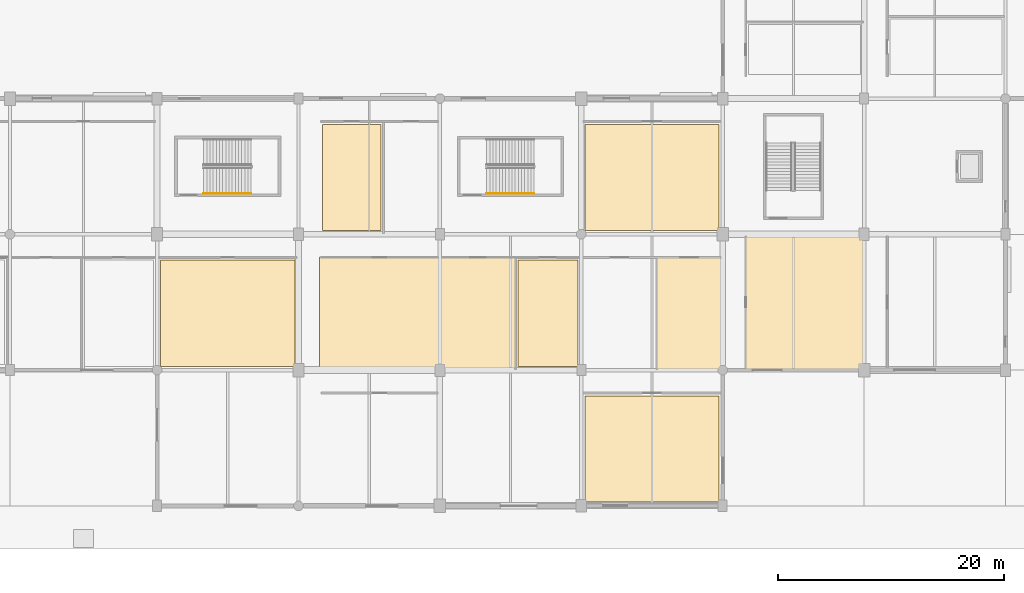
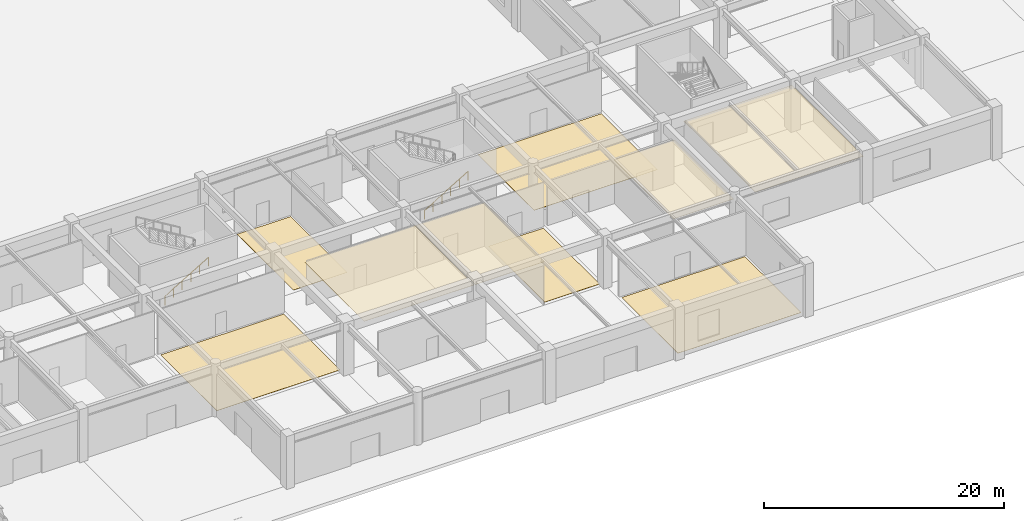
# One storey, part 50 of 69: 9 coverings, 2 railings.
"""IFC4 building model written with IfcOpenShell, lengths in metres."""

from ifc_helpers import new_model, si_unit, direction, frame, origin, origin_2d, place, context, subcontext, project, spatial, polyline, circle, outline, extrude, material, layer, layer_set, type_object, element, save


model = new_model("IFC4")

# Units and contexts
model_context = context("Model", 3, precision=1e-05, world=origin(), true_north=direction((0.0, 1.0)))
body_context = subcontext(model_context, "Body", "Model", "MODEL_VIEW")
ifc_project = project(units=[si_unit("LENGTHUNIT", "METRE"), si_unit("AREAUNIT", "SQUARE_METRE"), si_unit("VOLUMEUNIT", "CUBIC_METRE"), si_unit("PLANEANGLEUNIT", "RADIAN"), si_unit("MASSUNIT", "GRAM", prefix="KILO")], contexts=[model_context])

# Site, building, storey
site_placement = place(None, origin())
site = spatial("IfcSite", under=ifc_project, at=site_placement, CompositionType="ELEMENT")
building_placement = place(site_placement, origin())
building = spatial("IfcBuilding", under=site, at=building_placement, Name="Kazenohara Klinker Stadium", CompositionType="ELEMENT")
storey_placement = place(building_placement, origin())
storey = spatial("IfcBuildingStorey", under=building, at=storey_placement, Name="L00", CompositionType="ELEMENT", Elevation=0.0)

# Coverings
ifc_material_1 = material(Name="Perforated acoustic mineral-fibre ceiling tile", Category="gypsum")
ifc_layer_1 = layer(ifc_material_1, 0.030029296875)
ifc_layer_set_1 = layer_set([ifc_layer_1], Name="Perforated acoustic mineral-fibre ceiling tile")
covering_type_1 = type_object("IfcCoveringType", Name="COV-CEIL-01", PredefinedType="CEILING", material=ifc_layer_set_1)
covering_1_placement = place(storey_placement, frame((0.0, 0.0, 4.35009765625)))
element("IfcCovering", 1, at=covering_1_placement, inside=storey, type_object=covering_type_1, Name="Suspended acoustic ceiling CL01 Civic Stadium Heritage Museum Exhibition Gallery L00-1101A", PredefinedType="CEILING", context=body_context, shape_type="SweptSolid", body=[
    extrude(outline(polyline([(139.35009765625, 12.06005859375), (149.9599609375, 12.06005859375), (149.9599609375, 21.989990234375), (139.35009765625, 21.989990234375), (139.35009765625, 12.06005859375)])), origin(), (0.0, 0.0, 1.0), 0.02978515625),
])
covering_2_placement = place(storey_placement, frame((0.0, 0.0, 4.35009765625)))
element("IfcCovering", 2, at=covering_2_placement, inside=storey, type_object=covering_type_1, Name="Suspended acoustic ceiling CL01 Spectator First-Aid Medical Clinic L00-1201A", PredefinedType="CEILING", context=body_context, shape_type="SweptSolid", body=[
    extrude(outline(polyline([(150.0400390625, 12.06005859375), (156.71630859375, 12.06005859375), (156.71630859375, 21.989990234375), (150.0400390625, 21.989990234375), (150.0400390625, 12.06005859375)])), origin(), (0.0, 0.0, 1.0), 0.02978515625),
])
covering_3_placement = place(storey_placement, frame((0.0, 0.0, 4.35009765625)))
element("IfcCovering", 3, at=covering_3_placement, inside=storey, type_object=covering_type_1, Name="Suspended acoustic ceiling CL01 Street-Front Bakery and Cafe Restaurant L00-1301B", PredefinedType="CEILING", context=body_context, shape_type="SweptSolid", body=[
    extrude(outline(polyline([(169.13623046875, 12.06005859375), (174.9599609375, 12.06005859375), (174.9599609375, 21.989990234375), (169.13623046875, 21.989990234375), (169.13623046875, 12.06005859375)])), origin(), (0.0, 0.0, 1.0), 0.02978515625),
])
covering_4_placement = place(storey_placement, frame((0.0, 0.0, 4.35009765625)))
element("IfcCovering", 4, at=covering_4_placement, inside=storey, type_object=covering_type_1, Name="Suspended acoustic ceiling CL01 Spectator First-Aid Medical Clinic L00-1401A", PredefinedType="CEILING", context=body_context, shape_type="SweptSolid", body=[
    extrude(outline(polyline([(177.010009765625, 12.0400390625), (187.43994140625, 12.0400390625), (187.43994140625, 23.9599609375), (177.010009765625, 23.9599609375), (177.010009765625, 12.0400390625)])), origin(), (0.0, 0.0, 1.0), 0.02978515625),
])
ifc_material_2 = material(Name="Slip-resistant honed basalt terrazzo flooring", Category="masonry")
ifc_layer_2 = layer(ifc_material_2, 0.02001953125)
ifc_layer_set_2 = layer_set([ifc_layer_2], Name="Slip-resistant honed basalt terrazzo flooring")
covering_type_2 = type_object("IfcCoveringType", Name="COV-FLR-01", PredefinedType="FLOORING", material=ifc_layer_set_2)
covering_5_placement = place(storey_placement, origin())
element("IfcCovering", 5, at=covering_5_placement, inside=storey, type_object=covering_type_2, Name="Interior floor finish FL01 Spectator First-Aid Medical Clinic L00-1001A", PredefinedType="FLOORING", context=body_context, shape_type="SweptSolid", body=[
    extrude(outline(polyline([(125.31005859375, 12.330078125), (137.18994140625, 12.330078125), (137.18994140625, 21.719970703125), (125.31005859375, 21.719970703125), (125.31005859375, 12.330078125)])), origin(), (0.0, 0.0, 1.0), 0.02001953125),
])
covering_6_placement = place(storey_placement, origin())
element("IfcCovering", 6, at=covering_6_placement, inside=storey, type_object=covering_type_2, Name="Interior floor finish FL01 Supporter Merchandising Retail Shop L00-1102A", PredefinedType="FLOORING", context=body_context, shape_type="SweptSolid", body=[
    extrude(outline(polyline([(139.6201171875, 24.330078125), (144.7880859375, 24.330078125), (144.7880859375, 33.719970703125), (139.6201171875, 33.719970703125), (139.6201171875, 24.330078125)])), origin(), (0.0, 0.0, 1.0), 0.02001953125),
])
covering_7_placement = place(storey_placement, origin())
element("IfcCovering", 7, at=covering_7_placement, inside=storey, type_object=covering_type_2, Name="Interior floor finish FL01 Winter-Garden Retail Galleria Boutique L00-1201B", PredefinedType="FLOORING", context=body_context, shape_type="SweptSolid", body=[
    extrude(outline(polyline([(156.90625, 12.330078125), (162.18994140625, 12.330078125), (162.18994140625, 21.719970703125), (156.90625, 21.719970703125), (156.90625, 12.330078125)])), origin(), (0.0, 0.0, 1.0), 0.02001953125),
])
covering_8_placement = place(storey_placement, origin())
element("IfcCovering", 8, at=covering_8_placement, inside=storey, type_object=covering_type_2, Name="Interior floor finish FL01 Supporter Merchandising Retail Shop L00-1302A", PredefinedType="FLOORING", context=body_context, shape_type="SweptSolid", body=[
    extrude(outline(polyline([(162.81005859375, 24.330078125), (174.68994140625, 24.330078125), (174.68994140625, 33.719970703125), (162.81005859375, 33.719970703125), (162.81005859375, 24.330078125)])), origin(), (0.0, 0.0, 1.0), 0.02001953125),
])
ifc_material_3 = material(Name="Cushioned EPDM sports rubber flooring", Category="rubber")
ifc_layer_3 = layer(ifc_material_3, 0.014892578125)
ifc_layer_set_3 = layer_set([ifc_layer_3], Name="Cushioned EPDM sports rubber flooring")
covering_type_3 = type_object("IfcCoveringType", Name="COV-FLR-02", PredefinedType="FLOORING", material=ifc_layer_set_3)
covering_9_placement = place(storey_placement, origin())
element("IfcCovering", 9, at=covering_9_placement, inside=storey, type_object=covering_type_3, Name="Interior floor finish FL02 Spectator First-Aid Medical Clinic L00-1300A", PredefinedType="FLOORING", context=body_context, shape_type="SweptSolid", body=[
    extrude(outline(polyline([(162.81005859375, 0.330078125), (174.68994140625, 0.330078125), (174.68994140625, 9.719970703125), (162.81005859375, 9.719970703125), (162.81005859375, 0.330078125)])), origin(), (0.0, 0.0, 1.0), 0.014892578125),
])

# Railings
ifc_material_4 = material(Name="Brushed stainless steel 304 handrail", Category="steel")
ifc_layer_4 = layer(ifc_material_4, 0.050048828125)
ifc_layer_set_4 = layer_set([ifc_layer_4], Name="Brushed stainless steel 304 handrail")
railing_type = type_object("IfcRailingType", Name="RL-HND-900", PredefinedType="HANDRAIL", material=ifc_layer_set_4)
railing_1_placement = place(storey_placement, frame((129.1201171875, 27.6201171875, 0.168701171875)))
element("IfcRailing", 10, at=railing_1_placement, inside=storey, type_object=railing_type, Name="L00 ST27 stair handrail 1", PredefinedType="HANDRAIL", context=body_context, shape_type="SweptSolid", body=[
    extrude(circle(Radius=0.02392578125, at=origin_2d()), frame((0.0, 0.0, 0.8759765625), z_axis=(0.856476492594, 0.0, 0.516186030065), x_axis=(0.0, 1.0, 0.0)), (0.0, 0.0, 1.0), 4.90380859375),
    extrude(circle(Radius=0.02099609375, at=origin_2d()), origin(), (0.0, 0.0, 1.0), 0.851806640625),
    extrude(circle(Radius=0.02099609375, at=origin_2d()), frame((0.840087890625, 0.0, 0.50634765625)), (0.0, 0.0, 1.0), 0.851806640625),
    extrude(circle(Radius=0.02099609375, at=origin_2d()), frame((1.679931640625, 0.0, 1.012451171875)), (0.0, 0.0, 1.0), 0.851806640625),
    extrude(circle(Radius=0.02099609375, at=origin_2d()), frame((2.52001953125, 0.0, 1.518798828125)), (0.0, 0.0, 1.0), 0.851806640625),
    extrude(circle(Radius=0.02099609375, at=origin_2d()), frame((3.35986328125, 0.0, 2.02490234375)), (0.0, 0.0, 1.0), 0.851806640625),
    extrude(circle(Radius=0.02099609375, at=origin_2d()), frame((4.199951171875, 0.0, 2.53125)), (0.0, 0.0, 1.0), 0.851806640625),
])
railing_2_placement = place(storey_placement, frame((154.1298828125, 27.610107421875, 0.168701171875)))
element("IfcRailing", 11, at=railing_2_placement, inside=storey, type_object=railing_type, Name="L00 ST28 stair handrail 1", PredefinedType="HANDRAIL", context=body_context, shape_type="SweptSolid", body=[
    extrude(circle(Radius=0.02392578125, at=origin_2d()), frame((0.0, 0.0, 0.8759765625), z_axis=(0.856489757249, 0.0, 0.516164020179), x_axis=(0.0, 1.0, 0.0)), (0.0, 0.0, 1.0), 4.904052734375),
    extrude(circle(Radius=0.02099609375, at=origin_2d()), origin(), (0.0, 0.0, 1.0), 0.851806640625),
    extrude(circle(Radius=0.02099609375, at=origin_2d()), frame((0.840087890625, 0.0, 0.50634765625)), (0.0, 0.0, 1.0), 0.851806640625),
    extrude(circle(Radius=0.02099609375, at=origin_2d()), frame((1.68017578125, 0.0, 1.012451171875)), (0.0, 0.0, 1.0), 0.851806640625),
    extrude(circle(Radius=0.02099609375, at=origin_2d()), frame((2.52001953125, 0.0, 1.518798828125)), (0.0, 0.0, 1.0), 0.851806640625),
    extrude(circle(Radius=0.02099609375, at=origin_2d()), frame((3.360107421875, 0.0, 2.02490234375)), (0.0, 0.0, 1.0), 0.851806640625),
    extrude(circle(Radius=0.02099609375, at=origin_2d()), frame((4.2001953125, 0.0, 2.53125)), (0.0, 0.0, 1.0), 0.851806640625),
])

save(model, "model.ifc")
